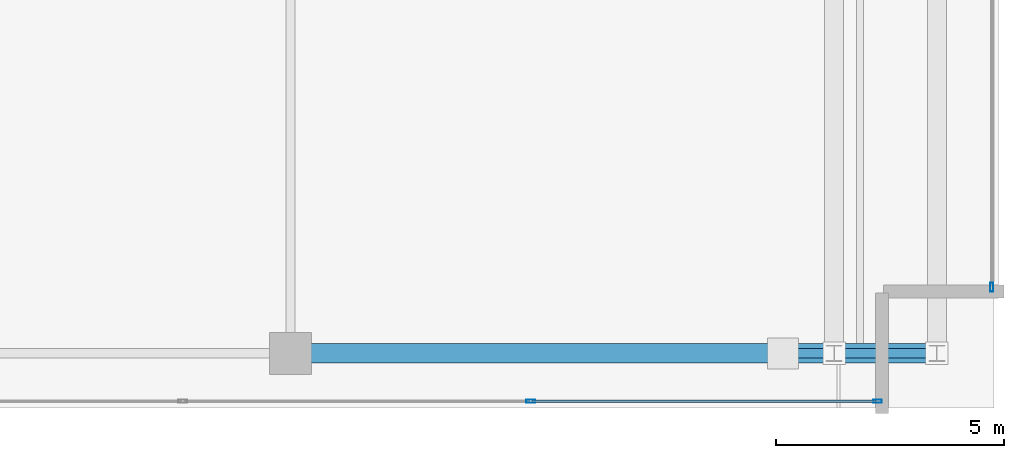
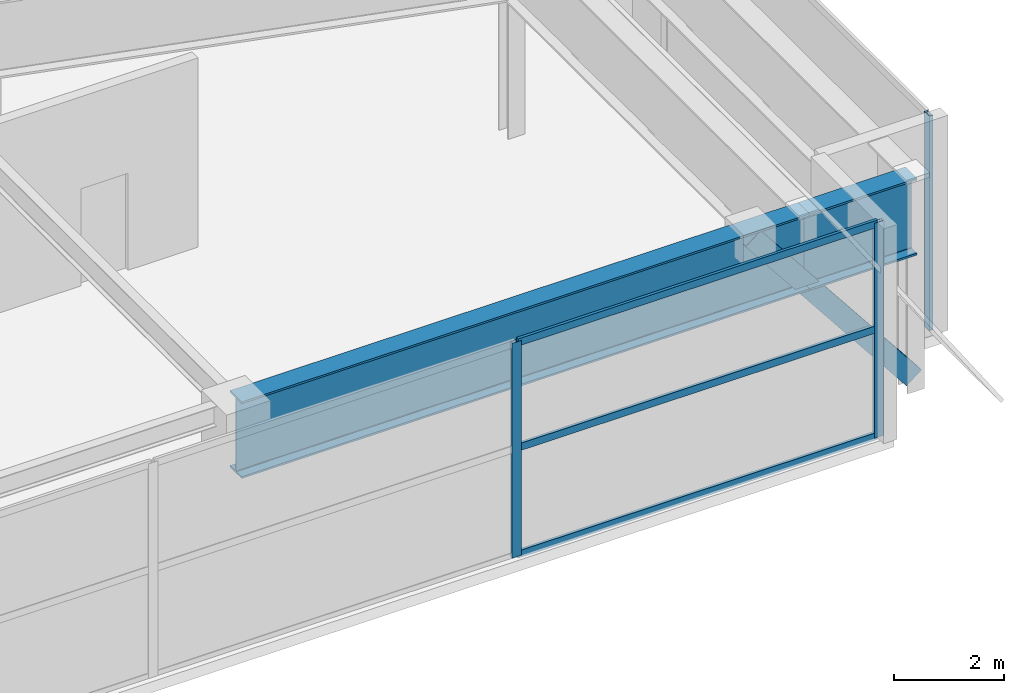
# One storey, part 7 of 21: 6 members, 3 beams, 2 elements without a shape of their own.
"""IFC4 building model written with IfcOpenShell, lengths in metres."""

from ifc_helpers import new_model, si_unit, direction, frame, origin, origin_2d, place, context, subcontext, project, spatial, hollow_rectangle, i_section, extrude, material, layer, layer_set, material_profile, profile_set, type_object, element, aggregate, save


model = new_model("IFC4")

# Units and contexts
model_context = context("Model", 3, precision=1e-05, world=origin(), true_north=direction((0.0, 1.0)))
body_context = subcontext(model_context, "Body", "Model", "MODEL_VIEW")
ifc_project = project(units=[si_unit("LENGTHUNIT", "METRE"), si_unit("AREAUNIT", "SQUARE_METRE"), si_unit("VOLUMEUNIT", "CUBIC_METRE"), si_unit("PLANEANGLEUNIT", "RADIAN"), si_unit("MASSUNIT", "GRAM", prefix="KILO")], contexts=[model_context])

# Site, building, storey
site_placement = place(None, origin())
site = spatial("IfcSite", under=ifc_project, at=site_placement, CompositionType="ELEMENT")
building_placement = place(site_placement, origin())
building = spatial("IfcBuilding", under=site, at=building_placement, Name="Calvorn Quay Hotel", CompositionType="ELEMENT")
storey_placement = place(building_placement, frame((0.0, 0.0, 330.5)))
storey = spatial("IfcBuildingStorey", under=building, at=storey_placement, Name="L81", CompositionType="ELEMENT", Elevation=330.5)

# Beams
ifc_material_1 = material(Name="Steel Q355B", Category="steel")
ifc_material_profile_1 = material_profile(ifc_material_1, hollow_rectangle(XDim=0.199951171875, YDim=0.39990234375, WallThickness=0.013916015625, at=origin_2d()), Name="RHS400x200x14")
ifc_profile_set_1 = profile_set([ifc_material_profile_1], Name="Steel Q355B")
beam_type_1 = type_object("IfcBeamType", Name="BM-CRN-RAFTER", PredefinedType="BEAM", material=ifc_profile_set_1)
beam_1_placement = place(storey_placement, frame((26.75, 3.60009765625, 0.25), z_axis=(-0.620072794286, 0.0, 0.784544281597), x_axis=(0.0, -1.0, 0.0)))
element("IfcBeam", 1, at=beam_1_placement, inside=storey, type_object=beam_type_1, Name="Crown Raking Rafter L81-1", PredefinedType="BEAM", context=body_context, shape_type="SweptSolid", body=[
    extrude(hollow_rectangle(XDim=0.199951171875, YDim=0.39990234375, WallThickness=0.013916015625, at=origin_2d()), origin(), (0.0, 0.0, 1.0), 5.429931640625),
])
ifc_material_2 = material(Name="Steel Q420GJC", Category="steel")
ifc_material_profile_2 = material_profile(ifc_material_2, i_section(OverallWidth=0.419921875, OverallDepth=1.699951171875, WebThickness=0.02392578125, FlangeThickness=0.0419921875, FilletRadius=0.02392578125, at=origin_2d()), Name="HN1700x420x24x42")
ifc_profile_set_2 = profile_set([ifc_material_profile_2], Name="Steel Q420GJC")
beam_type_2 = type_object("IfcBeamType", Name="BM-XFER-SAWTOOTH", PredefinedType="BEAM", material=ifc_profile_set_2)
beam_2_placement = place(storey_placement, frame((12.60009765625, 3.60009765625, 3.889892578125), z_axis=(1.0, 0.0, 0.0), x_axis=(0.0, 1.0, 0.0)))
element("IfcBeam", 2, at=beam_2_placement, inside=storey, type_object=beam_type_2, Name="Beam BTG-L81-C-CR1A", PredefinedType="BEAM", context=body_context, shape_type="SweptSolid", body=[
    extrude(i_section(OverallWidth=0.419921875, OverallDepth=1.699951171875, WebThickness=0.02392578125, FlangeThickness=0.0419921875, FilletRadius=0.02392578125, at=origin_2d()), origin(), (0.0, 0.0, 1.0), 11.89990234375),
])
beam_3_placement = place(storey_placement, frame((24.5, 3.60009765625, 3.889892578125), z_axis=(1.0, 0.0, 0.0), x_axis=(0.0, 1.0, 0.0)))
element("IfcBeam", 3, at=beam_3_placement, inside=storey, type_object=beam_type_2, Name="Beam BTG-L81-C-CR1B", PredefinedType="BEAM", context=body_context, shape_type="SweptSolid", body=[
    extrude(i_section(OverallWidth=0.419921875, OverallDepth=1.699951171875, WebThickness=0.02392578125, FlangeThickness=0.0419921875, FilletRadius=0.02392578125, at=origin_2d()), origin(), (0.0, 0.0, 1.0), 2.25),
])

# Curtain wall, members
ifc_material_3 = material(Name="Pale Anodised Aluminium and Laminated Glass", Category="aluminium")
ifc_layer = layer(ifc_material_3, 0.219970703125)
ifc_layer_set = layer_set([ifc_layer], Name="CW-SYS-CRN")
curtain_wall_type = type_object("IfcCurtainWallType", Name="CW-SYS-CRN", PredefinedType="NOTDEFINED", material=ifc_layer_set)
curtain_wall_1_placement = place(storey_placement, origin())
curtain_wall_1 = element("IfcCurtainWall", 4, at=curtain_wall_1_placement, inside=storey, type_object=curtain_wall_type, Name="Crown Curtain Wall L81-C1", PredefinedType="NOTDEFINED")
ifc_material_4 = material(Name="Pale Anodised Aluminium 6063-T6", Category="aluminium")
ifc_material_profile_3 = material_profile(ifc_material_4, hollow_rectangle(XDim=0.072021484375, YDim=0.195068359375, WallThickness=0.00390625, at=origin_2d()), Name="ALU-M195x72x4")
ifc_profile_set_3 = profile_set([ifc_material_profile_3], Name="Pale Anodised Aluminium 6063-T6")
member_type_1 = type_object("IfcMemberType", Name="CW-SYS-CRN-MUL", PredefinedType="MULLION", material=ifc_profile_set_3)
member_1_placement = place(storey_placement, frame((17.860107421875, 2.550048828125, 0.0), z_axis=(0.0, 0.0, 1.0), x_axis=(0.0, 1.0, 0.0)))
member_1 = element("IfcMember", 5, at=member_1_placement, type_object=member_type_1, Name="CW-L81-C1 mullion 3", PredefinedType="MULLION", context=body_context, shape_type="SweptSolid", body=[
    extrude(hollow_rectangle(XDim=0.072021484375, YDim=0.195068359375, WallThickness=0.00390625, at=origin_2d()), origin(), (0.0, 0.0, 1.0), 4.760009765625),
])
member_2_placement = place(storey_placement, frame((25.449951171875, 2.550048828125, 0.0), z_axis=(0.0, 0.0, 1.0), x_axis=(0.0, 1.0, 0.0)))
member_2 = element("IfcMember", 6, at=member_2_placement, type_object=member_type_1, Name="CW-L81-C1 mullion 4", PredefinedType="MULLION", context=body_context, shape_type="SweptSolid", body=[
    extrude(hollow_rectangle(XDim=0.072021484375, YDim=0.195068359375, WallThickness=0.00390625, at=origin_2d()), origin(), (0.0, 0.0, 1.0), 4.760009765625),
])

# Curtain wall, member
curtain_wall_2_placement = place(storey_placement, origin())
curtain_wall_2 = element("IfcCurtainWall", 7, at=curtain_wall_2_placement, inside=storey, type_object=curtain_wall_type, Name="Crown Curtain Wall L81-C2", PredefinedType="NOTDEFINED")
member_3_placement = place(storey_placement, frame((27.949951171875, 5.050048828125, 0.0), z_axis=(0.0, 0.0, 1.0), x_axis=(-1.0, 0.0, 0.0)))
member_3 = element("IfcMember", 8, at=member_3_placement, type_object=member_type_1, Name="CW-L81-C2 mullion 1", PredefinedType="MULLION", context=body_context, shape_type="SweptSolid", body=[
    extrude(hollow_rectangle(XDim=0.072021484375, YDim=0.195068359375, WallThickness=0.00390625, at=origin_2d()), origin(), (0.0, 0.0, 1.0), 4.760009765625),
])
aggregate(curtain_wall_2, [member_3])

# Member
ifc_material_5 = material(Name="Pale Anodised Aluminium 6063-T6", Category="aluminium")
ifc_material_profile_4 = material_profile(ifc_material_5, hollow_rectangle(XDim=0.06201171875, YDim=0.159912109375, WallThickness=0.00341796875, at=origin_2d()), Name="ALU-T160x62x3.5")
ifc_profile_set_4 = profile_set([ifc_material_profile_4], Name="Pale Anodised Aluminium 6063-T6")
member_type_2 = type_object("IfcMemberType", Name="CW-SYS-CRN-TRN", PredefinedType="USERDEFINED", material=ifc_profile_set_4)
member_4_placement = place(storey_placement, frame((17.889892578125, 2.550048828125, 0.030029296875), z_axis=(1.0, 0.0, 0.0), x_axis=(0.0, 1.0, 0.0)))
member_4 = element("IfcMember", 9, at=member_4_placement, type_object=member_type_2, Name="CW-L81-C1 transom 3.1", ObjectType="TRANSOM", PredefinedType="USERDEFINED", context=body_context, shape_type="SweptSolid", body=[
    extrude(hollow_rectangle(XDim=0.06201171875, YDim=0.159912109375, WallThickness=0.00341796875, at=origin_2d()), origin(), (0.0, 0.0, 1.0), 7.530029296875),
])

member_5_placement = place(storey_placement, frame((17.889892578125, 2.550048828125, 2.39990234375), z_axis=(1.0, 0.0, 0.0), x_axis=(0.0, 1.0, 0.0)))
member_5 = element("IfcMember", 10, at=member_5_placement, type_object=member_type_2, Name="CW-L81-C1 transom 3.2", ObjectType="TRANSOM", PredefinedType="USERDEFINED", context=body_context, shape_type="SweptSolid", body=[
    extrude(hollow_rectangle(XDim=0.06201171875, YDim=0.159912109375, WallThickness=0.00341796875, at=origin_2d()), origin(), (0.0, 0.0, 1.0), 7.530029296875),
])

member_6_placement = place(storey_placement, frame((17.889892578125, 2.550048828125, 4.72998046875), z_axis=(1.0, 0.0, 0.0), x_axis=(0.0, 1.0, 0.0)))
member_6 = element("IfcMember", 11, at=member_6_placement, type_object=member_type_2, Name="CW-L81-C1 transom 3.3", ObjectType="TRANSOM", PredefinedType="USERDEFINED", context=body_context, shape_type="SweptSolid", body=[
    extrude(hollow_rectangle(XDim=0.06201171875, YDim=0.159912109375, WallThickness=0.00341796875, at=origin_2d()), origin(), (0.0, 0.0, 1.0), 7.530029296875),
])

aggregate(curtain_wall_1, [member_1, member_2, member_4, member_5, member_6])

save(model, "model.ifc")
